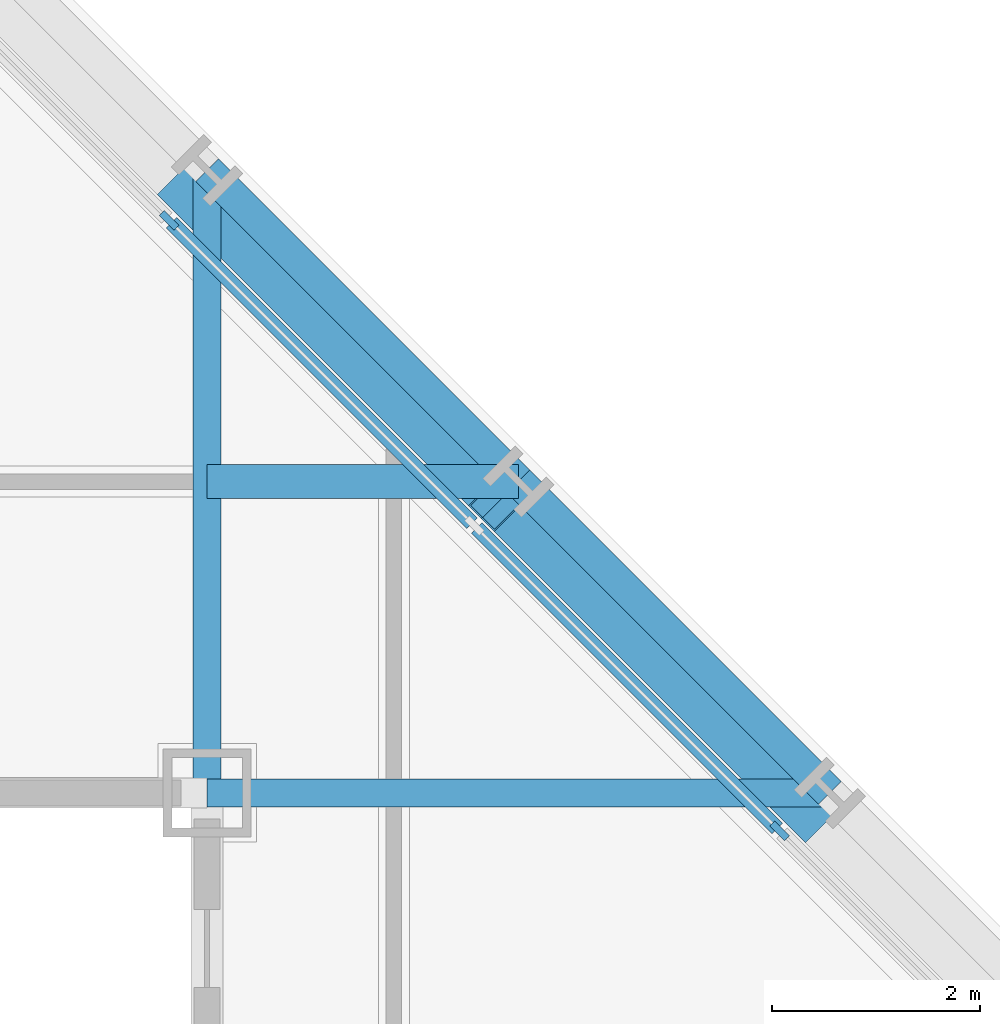
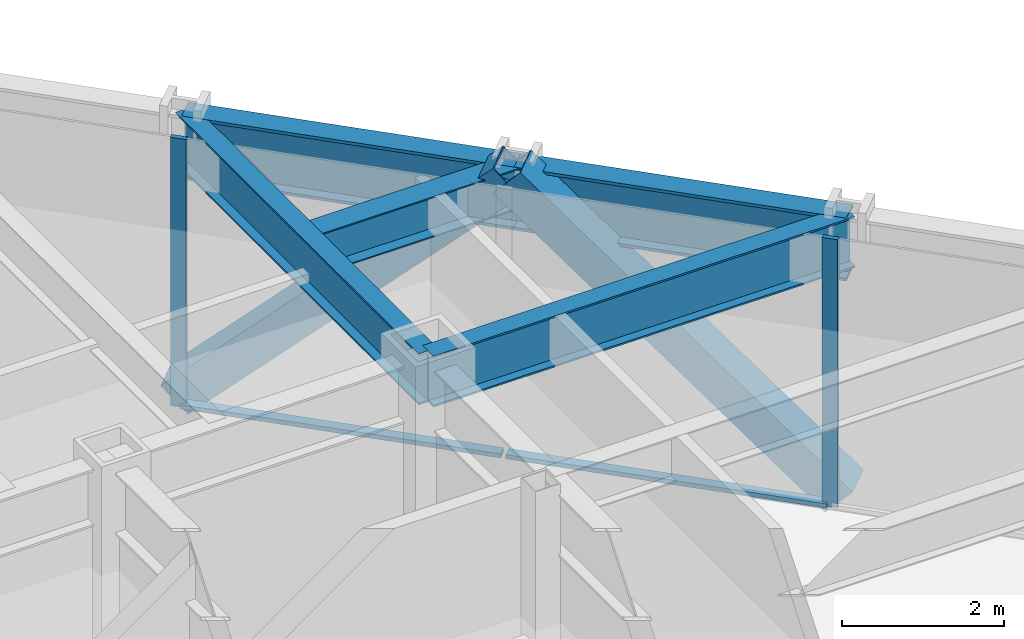
# One storey, part 8 of 16: 6 members, 5 beams, 1 element without a shape of its own.
"""IFC4 building model written with IfcOpenShell, lengths in metres."""

from ifc_helpers import new_model, si_unit, direction, frame, origin, origin_2d, place, context, subcontext, project, spatial, rectangle, hollow_rectangle, i_section, extrude, material, layer, layer_set, material_profile, profile_set, type_object, element, aggregate, save


model = new_model("IFC4")

# Units and contexts
model_context = context("Model", 3, precision=1e-05, world=origin(), true_north=direction((0.0, 1.0)))
body_context = subcontext(model_context, "Body", "Model", "MODEL_VIEW")
ifc_project = project(units=[si_unit("LENGTHUNIT", "METRE"), si_unit("AREAUNIT", "SQUARE_METRE"), si_unit("VOLUMEUNIT", "CUBIC_METRE"), si_unit("PLANEANGLEUNIT", "RADIAN"), si_unit("MASSUNIT", "GRAM", prefix="KILO")], contexts=[model_context])

# Site, building, storey
site_placement = place(None, origin())
site = spatial("IfcSite", under=ifc_project, at=site_placement, CompositionType="ELEMENT")
building_placement = place(site_placement, origin())
building = spatial("IfcBuilding", under=site, at=building_placement, Name="Chuquiago Exchange Tower", CompositionType="ELEMENT")
storey_placement = place(building_placement, frame((0.0, 0.0, 119.39990234375)))
storey = spatial("IfcBuildingStorey", under=building, at=storey_placement, Name="L25", CompositionType="ELEMENT", Elevation=119.39990234375)

# Beam
ifc_material_1 = material(Name="Steel ASTM A992", Category="steel")
ifc_material_profile_1 = material_profile(ifc_material_1, i_section(OverallWidth=0.3251953125, OverallDepth=0.612060546875, WebThickness=0.0126953125, FlangeThickness=0.01904296875, at=origin_2d()), Name="W24X104")
ifc_profile_set_1 = profile_set([ifc_material_profile_1], Name="Steel ASTM A992")
beam_type_1 = type_object("IfcBeamType", Name="B2 W24X104", PredefinedType="BEAM", material=ifc_profile_set_1)
beam_placement = place(storey_placement, frame((33.0, 36.0, 3.73388671875), z_axis=(1.0, 0.0, 0.0), x_axis=(0.0, 1.0, 0.0)))
element("IfcBeam", 1, at=beam_placement, inside=storey, type_object=beam_type_1, Name="FB-L26-corner-33_36-36_36-0", PredefinedType="BEAM", context=body_context, shape_type="SweptSolid", body=[
    extrude(i_section(OverallWidth=0.3251953125, OverallDepth=0.612060546875, WebThickness=0.0126953125, FlangeThickness=0.01904296875, at=origin_2d()), origin(), (0.0, 0.0, 1.0), 3.0),
])

# Curtain wall, members
ifc_material_2 = material(Name="Aluminium curtain wall system", Category="aluminium")
ifc_layer = layer(ifc_material_2, 0.199951171875)
ifc_layer_set = layer_set([ifc_layer], Name="CW3 facet curtain wall")
curtain_wall_type = type_object("IfcCurtainWallType", Name="CW3 facet curtain wall", PredefinedType="NOTDEFINED", material=ifc_layer_set)
curtain_wall_placement = place(storey_placement, origin())
curtain_wall = element("IfcCurtainWall", 2, at=curtain_wall_placement, inside=storey, type_object=curtain_wall_type, Name="CW3 curtain wall L25", PredefinedType="NOTDEFINED")
ifc_material_3 = material(Name="Aluminium mullion, pale anodised", Category="aluminium")
ifc_material_profile_2 = material_profile(ifc_material_3, rectangle(XDim=0.06494140625, YDim=0.199951171875, at=origin_2d()), Name="AL 65x200")
ifc_profile_set_2 = profile_set([ifc_material_profile_2], Name="Aluminium mullion, pale anodised")
member_type_1 = type_object("IfcMemberType", Name="CW3-M mullion 65x200", PredefinedType="MULLION", material=ifc_profile_set_2)
member_1_placement = place(storey_placement, frame((38.51708984375, 32.63427734375, 0.0), z_axis=(0.0, 0.0, 1.0), x_axis=(-0.707106781187, -0.707106781187, 0.0)))
member_1 = element("IfcMember", 3, at=member_1_placement, type_object=member_type_1, Name="CW3 mullion 3", PredefinedType="MULLION", context=body_context, shape_type="SweptSolid", body=[
    extrude(rectangle(XDim=0.06494140625, YDim=0.199951171875, at=origin_2d()), origin(), (0.0, 0.0, 1.0), 4.0400390625),
])
member_2_placement = place(storey_placement, frame((32.63427734375, 38.51708984375, 0.0), z_axis=(0.0, 0.0, 1.0), x_axis=(-0.707106781187, -0.707106781187, 0.0)))
member_2 = element("IfcMember", 4, at=member_2_placement, type_object=member_type_1, Name="CW3 mullion 5", PredefinedType="MULLION", context=body_context, shape_type="SweptSolid", body=[
    extrude(rectangle(XDim=0.06494140625, YDim=0.199951171875, at=origin_2d()), origin(), (0.0, 0.0, 1.0), 4.0400390625),
])
ifc_material_4 = material(Name="Aluminium transom, pale anodised", Category="aluminium")
ifc_material_profile_3 = material_profile(ifc_material_4, rectangle(XDim=0.139892578125, YDim=0.06494140625, at=origin_2d()), Name="AL 140x65")
ifc_profile_set_3 = profile_set([ifc_material_profile_3], Name="Aluminium transom, pale anodised")
member_type_2 = type_object("IfcMemberType", Name="CW3-T transom 65x140", PredefinedType="MULLION", material=ifc_profile_set_3)
member_3_placement = place(storey_placement, frame((38.494140625, 32.6572265625, 0.03271484375), z_axis=(-0.707106781187, 0.707106781187, 0.0), x_axis=(-0.707106781187, -0.707106781187, 0.0)))
member_3 = element("IfcMember", 5, at=member_3_placement, type_object=member_type_2, Name="CW3 transom 3.1", PredefinedType="MULLION", context=body_context, shape_type="SweptSolid", body=[
    extrude(rectangle(XDim=0.139892578125, YDim=0.06494140625, at=origin_2d()), origin(), (0.0, 0.0, 1.0), 4.094970703125),
])
member_4_placement = place(storey_placement, frame((35.552734375, 35.5986328125, 0.03271484375), z_axis=(-0.707106781187, 0.707106781187, 0.0), x_axis=(-0.707106781187, -0.707106781187, 0.0)))
member_4 = element("IfcMember", 6, at=member_4_placement, type_object=member_type_2, Name="CW3 transom 4.1", PredefinedType="MULLION", context=body_context, shape_type="SweptSolid", body=[
    extrude(rectangle(XDim=0.139892578125, YDim=0.06494140625, at=origin_2d()), origin(), (0.0, 0.0, 1.0), 4.094970703125),
])
aggregate(curtain_wall, [member_1, member_2, member_3, member_4])

# Beams
ifc_material_5 = material(Name="Steel ASTM A992", Category="steel")
ifc_material_profile_4 = material_profile(ifc_material_5, i_section(OverallWidth=0.2666015625, OverallDepth=0.76953125, WebThickness=0.015625, FlangeThickness=0.025390625, at=origin_2d()), Name="W30X132")
ifc_profile_set_4 = profile_set([ifc_material_profile_4], Name="Steel ASTM A992")
beam_type_2 = type_object("IfcBeamType", Name="G1 W30X132", PredefinedType="BEAM", material=ifc_profile_set_4)
for number, where, z_axis, x_axis, name in (
    (7, (33.0, 33.0, 3.6552734375), (0.0, 1.0, 0.0), (-1.0, 0.0, 0.0), "FB-L26-girder-33_33-33_39-0"),
    (8, (33.0, 33.0, 3.6552734375), (1.0, 0.0, 0.0), (0.0, 1.0, 0.0), "FB-L26-girder-33_33-39_33-0"),
):
    element("IfcBeam", number, at=place(storey_placement, frame(where, z_axis=z_axis, x_axis=x_axis)), inside=storey, type_object=beam_type_2, Name=name, PredefinedType="BEAM", context=body_context, shape_type="SweptSolid", body=[
        extrude(i_section(OverallWidth=0.2666015625, OverallDepth=0.76953125, WebThickness=0.015625, FlangeThickness=0.025390625, at=origin_2d()), origin(), (0.0, 0.0, 1.0), 6.0),
    ])

# Members
ifc_material_6 = material(Name="Steel ASTM A500 Grade C", Category="steel")
ifc_material_profile_5 = material_profile(ifc_material_6, hollow_rectangle(XDim=0.508056640625, YDim=0.508056640625, WallThickness=0.017822265625, at=origin_2d()), Name="HSS20X20X3/4")
ifc_profile_set_5 = profile_set([ifc_material_profile_5], Name="Steel ASTM A500 Grade C")
member_type_3 = type_object("IfcMemberType", Name="LB1 HSS20X20X3/4", PredefinedType="BRACE", material=ifc_profile_set_5)
for number, where, z_axis, x_axis, name in (
    (9, (38.822509765625, 32.822509765625, 0.0), (-0.512077265487, 0.512077265487, 0.689604051861), (-0.707106781187, -0.707106781187, 0.0), "LB-L25-39_33-36_36"),
    (10, (32.822509765625, 38.822509765625, 0.0), (0.512077265487, -0.512077265487, 0.689604051861), (0.707106781187, 0.707106781187, 0.0), "LB-L25-36_36-33_39"),
):
    element("IfcMember", number, at=place(storey_placement, frame(where, z_axis=z_axis, x_axis=x_axis)), inside=storey, type_object=member_type_3, Name=name, PredefinedType="BRACE", context=body_context, shape_type="SweptSolid", body=[
        extrude(hollow_rectangle(XDim=0.508056640625, YDim=0.508056640625, WallThickness=0.017822265625, at=origin_2d()), origin(), (0.0, 0.0, 1.0), 5.8583984375),
    ])

# Beams
ifc_material_7 = material(Name="Steel ASTM A992", Category="steel")
ifc_material_profile_6 = material_profile(ifc_material_7, i_section(OverallWidth=0.309814453125, OverallDepth=0.949951171875, WebThickness=0.0244140625, FlangeThickness=0.0439453125, at=origin_2d()), Name="W36X256")
ifc_profile_set_6 = profile_set([ifc_material_profile_6], Name="Steel ASTM A992")
beam_type_3 = type_object("IfcBeamType", Name="SP2 W36X256", PredefinedType="SPANDREL", material=ifc_profile_set_6)
for number, where, z_axis, x_axis, name in (
    (11, (39.0, 33.0, 3.565185546875), (-0.707106781187, 0.707106781187, 0.0), (-0.707106781187, -0.707106781187, 0.0), "SPB-L26-39_33-36_36"),
    (12, (36.0, 36.0, 3.565185546875), (-0.707106781187, 0.707106781187, 0.0), (-0.707106781187, -0.707106781187, 0.0), "SPB-L26-36_36-33_39"),
):
    element("IfcBeam", number, at=place(storey_placement, frame(where, z_axis=z_axis, x_axis=x_axis)), inside=storey, type_object=beam_type_3, Name=name, PredefinedType="SPANDREL", context=body_context, shape_type="SweptSolid", body=[
        extrude(i_section(OverallWidth=0.309814453125, OverallDepth=0.949951171875, WebThickness=0.0244140625, FlangeThickness=0.0439453125, at=origin_2d()), origin(), (0.0, 0.0, 1.0), 4.24267578125),
    ])

save(model, "model.ifc")
